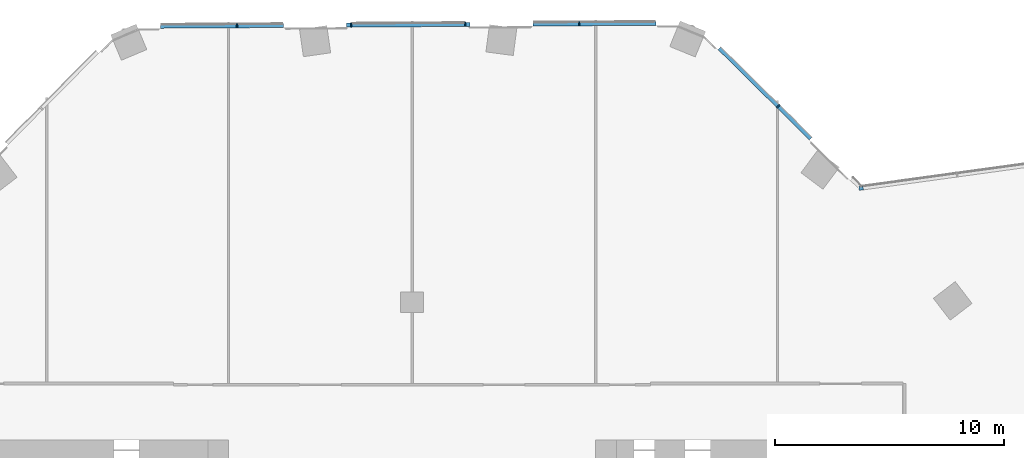
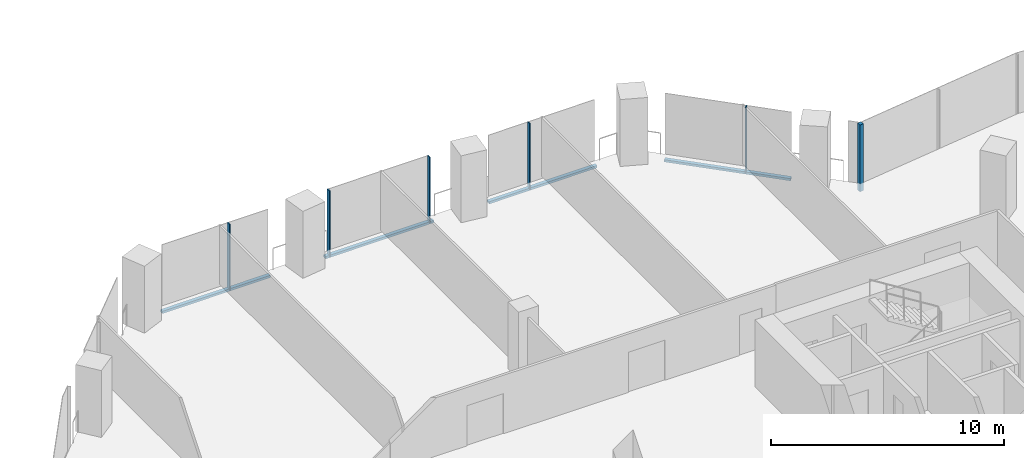
# One storey, part 10 of 29: 10 members, 3 elements without a shape of their own.
"""IFC4 building model written with IfcOpenShell, lengths in metres."""

from ifc_helpers import new_model, si_unit, direction, frame, origin, origin_2d, place, context, subcontext, project, spatial, rectangle, extrude, material, material_profile, profile_set, type_object, element, aggregate, save


model = new_model("IFC4")

# Units and contexts
model_context = context("Model", 3, precision=1e-05, world=origin(), true_north=direction((0.0, 1.0)))
body_context = subcontext(model_context, "Body", "Model", "MODEL_VIEW")
ifc_project = project(units=[si_unit("LENGTHUNIT", "METRE"), si_unit("AREAUNIT", "SQUARE_METRE"), si_unit("VOLUMEUNIT", "CUBIC_METRE"), si_unit("PLANEANGLEUNIT", "RADIAN"), si_unit("MASSUNIT", "GRAM", prefix="KILO")], contexts=[model_context])

# Site, building, storey
site_placement = place(None, origin())
site = spatial("IfcSite", under=ifc_project, at=site_placement, CompositionType="ELEMENT")
building_placement = place(site_placement, origin())
building = spatial("IfcBuilding", under=site, at=building_placement, Name="Orlundy Tower", CompositionType="ELEMENT")
storey_placement = place(building_placement, frame((0.0, 0.0, 188.60009765625)))
storey = spatial("IfcBuildingStorey", under=building, at=storey_placement, Name="L49", CompositionType="ELEMENT", Elevation=188.60009765625)

# Curtain wall, member
ifc_material_1 = material(Name="Aluminium bronze anodised", Category="aluminium")
curtain_wall_type = type_object("IfcCurtainWallType", Name="CW1 wall", PredefinedType="NOTDEFINED", material=ifc_material_1)
curtain_wall_1_placement = place(storey_placement, origin())
curtain_wall_1 = element("IfcCurtainWall", 1, at=curtain_wall_1_placement, inside=storey, type_object=curtain_wall_type, Name="CW1 run 06", PredefinedType="NOTDEFINED")
ifc_material_2 = material(Name="Aluminium bronze anodised", Category="aluminium")
ifc_material_profile_1 = material_profile(ifc_material_2, rectangle(XDim=0.179931640625, YDim=0.179931640625, at=origin_2d()), Name="CW1 corner post 180x180")
ifc_profile_set_1 = profile_set([ifc_material_profile_1], Name="Aluminium bronze anodised")
member_type_1 = type_object("IfcMemberType", Name="CW1 corner post 180x180", PredefinedType="MULLION", material=ifc_profile_set_1)
member_1_placement = place(storey_placement, frame((19.563720703125, 22.97119140625, -0.420166015625), z_axis=(0.0, 0.0, 1.0), x_axis=(-0.136185270904, 0.990683386349, 0.0)))
member_1 = element("IfcMember", 2, at=member_1_placement, type_object=member_type_1, Name="CW1 mullion 26", PredefinedType="MULLION", context=body_context, shape_type="SweptSolid", body=[
    extrude(rectangle(XDim=0.179931640625, YDim=0.179931640625, at=origin_2d()), origin(), (0.0, 0.0, 1.0), 3.5),
])
aggregate(curtain_wall_1, [member_1])

# Curtain wall, members
curtain_wall_2_placement = place(storey_placement, origin())
curtain_wall_2 = element("IfcCurtainWall", 3, at=curtain_wall_2_placement, inside=storey, type_object=curtain_wall_type, Name="CW1 run 04", PredefinedType="NOTDEFINED")
ifc_material_3 = material(Name="Aluminium bronze anodised", Category="aluminium")
ifc_material_profile_2 = material_profile(ifc_material_3, rectangle(XDim=0.179931640625, YDim=0.050048828125, at=origin_2d()), Name="CW1 mullion 50x180")
ifc_profile_set_2 = profile_set([ifc_material_profile_2], Name="Aluminium bronze anodised")
member_type_2 = type_object("IfcMemberType", Name="CW1 mullion 50x180", PredefinedType="MULLION", material=ifc_profile_set_2)
member_2_placement = place(storey_placement, frame((-7.630859375, 30.0458984375, -0.420166015625), z_axis=(0.0, 0.0, 1.0), x_axis=(-0.005834206419, 0.999982980873, 0.0)))
member_2 = element("IfcMember", 4, at=member_2_placement, type_object=member_type_2, Name="CW1 mullion 20", PredefinedType="MULLION", context=body_context, shape_type="SweptSolid", body=[
    extrude(rectangle(XDim=0.179931640625, YDim=0.050048828125, at=origin_2d()), origin(), (0.0, 0.0, 1.0), 3.5),
])
member_3_placement = place(storey_placement, frame((-2.660400390625, 30.074951171875, -0.420166015625), z_axis=(0.0, 0.0, 1.0), x_axis=(-0.005834206419, 0.999982980873, 0.0)))
member_3 = element("IfcMember", 5, at=member_3_placement, type_object=member_type_2, Name="CW1 mullion 21", PredefinedType="MULLION", context=body_context, shape_type="SweptSolid", body=[
    extrude(rectangle(XDim=0.179931640625, YDim=0.050048828125, at=origin_2d()), origin(), (0.0, 0.0, 1.0), 3.5),
])
member_4_placement = place(storey_placement, frame((2.310302734375, 30.10400390625, -0.420166015625), z_axis=(0.0, 0.0, 1.0), x_axis=(-0.005834206419, 0.999982980873, 0.0)))
member_4 = element("IfcMember", 6, at=member_4_placement, type_object=member_type_2, Name="CW1 mullion 22", PredefinedType="MULLION", context=body_context, shape_type="SweptSolid", body=[
    extrude(rectangle(XDim=0.179931640625, YDim=0.050048828125, at=origin_2d()), origin(), (0.0, 0.0, 1.0), 3.5),
])
member_5_placement = place(storey_placement, frame((7.28076171875, 30.133056640625, -0.420166015625), z_axis=(0.0, 0.0, 1.0), x_axis=(-0.005834206419, 0.999982980873, 0.0)))
member_5 = element("IfcMember", 7, at=member_5_placement, type_object=member_type_2, Name="CW1 mullion 23", PredefinedType="MULLION", context=body_context, shape_type="SweptSolid", body=[
    extrude(rectangle(XDim=0.179931640625, YDim=0.050048828125, at=origin_2d()), origin(), (0.0, 0.0, 1.0), 3.5),
])

# Curtain wall, member
curtain_wall_3_placement = place(storey_placement, origin())
curtain_wall_3 = element("IfcCurtainWall", 8, at=curtain_wall_3_placement, inside=storey, type_object=curtain_wall_type, Name="CW1 run 05", PredefinedType="NOTDEFINED")
member_6_placement = place(storey_placement, frame((15.955322265625, 26.5380859375, -0.420166015625), z_axis=(0.0, 0.0, 1.0), x_axis=(0.702991811789, 0.711197941896, 0.0)))
member_6 = element("IfcMember", 9, at=member_6_placement, type_object=member_type_2, Name="CW1 mullion 25", PredefinedType="MULLION", context=body_context, shape_type="SweptSolid", body=[
    extrude(rectangle(XDim=0.179931640625, YDim=0.050048828125, at=origin_2d()), origin(), (0.0, 0.0, 1.0), 3.5),
])

# Member
ifc_material_4 = material(Name="Aluminium bronze anodised", Category="aluminium")
ifc_material_profile_3 = material_profile(ifc_material_4, rectangle(XDim=0.179931640625, YDim=0.1201171875, at=origin_2d()), Name="CW1 transom 180x120")
ifc_profile_set_3 = profile_set([ifc_material_profile_3], Name="Aluminium bronze anodised")
member_type_3 = type_object("IfcMemberType", Name="CW1 transom 180x120", PredefinedType="USERDEFINED", material=ifc_profile_set_3)
member_7_placement = place(storey_placement, frame((-10.962890625, 30.026611328125, -0.360107421875), z_axis=(0.999983002263, 0.005830539074, 0.0), x_axis=(-0.005830539074, 0.999983002263, 0.0)))
member_7 = element("IfcMember", 10, at=member_7_placement, type_object=member_type_3, Name="CW1 transom", ObjectType="TRANSOM", PredefinedType="USERDEFINED", context=body_context, shape_type="SweptSolid", body=[
    extrude(rectangle(XDim=0.179931640625, YDim=0.1201171875, at=origin_2d()), origin(), (0.0, 0.0, 1.0), 5.359619140625),
])

member_8_placement = place(storey_placement, frame((-2.856689453125, 30.073974609375, -0.360107421875), z_axis=(0.999983076348, 0.005817818907, 0.0), x_axis=(-0.005817818907, 0.999983076348, 0.0)))
member_8 = element("IfcMember", 11, at=member_8_placement, type_object=member_type_3, Name="CW1 transom", ObjectType="TRANSOM", PredefinedType="USERDEFINED", context=body_context, shape_type="SweptSolid", body=[
    extrude(rectangle(XDim=0.179931640625, YDim=0.1201171875, at=origin_2d()), origin(), (0.0, 0.0, 1.0), 5.371337890625),
])

member_9_placement = place(storey_placement, frame((5.26123046875, 30.12109375, -0.360107421875), z_axis=(0.999982735642, 0.005876088594, 0.0), x_axis=(-0.005876088594, 0.999982735642, 0.0)))
member_9 = element("IfcMember", 12, at=member_9_placement, type_object=member_type_3, Name="CW1 transom", ObjectType="TRANSOM", PredefinedType="USERDEFINED", context=body_context, shape_type="SweptSolid", body=[
    extrude(rectangle(XDim=0.179931640625, YDim=0.1201171875, at=origin_2d()), origin(), (0.0, 0.0, 1.0), 5.359619140625),
])

aggregate(curtain_wall_2, [member_2, member_3, member_4, member_5, member_7, member_8, member_9])

member_10_placement = place(storey_placement, frame((13.39306640625, 29.070556640625, -0.360107421875), z_axis=(0.711195509197, -0.702994272877, 0.0), x_axis=(0.702994272877, 0.711195509197, 0.0)))
member_10 = element("IfcMember", 13, at=member_10_placement, type_object=member_type_3, Name="CW1 transom", ObjectType="TRANSOM", PredefinedType="USERDEFINED", context=body_context, shape_type="SweptSolid", body=[
    extrude(rectangle(XDim=0.179931640625, YDim=0.1201171875, at=origin_2d()), origin(), (0.0, 0.0, 1.0), 5.596435546875),
])

aggregate(curtain_wall_3, [member_6, member_10])

save(model, "model.ifc")
